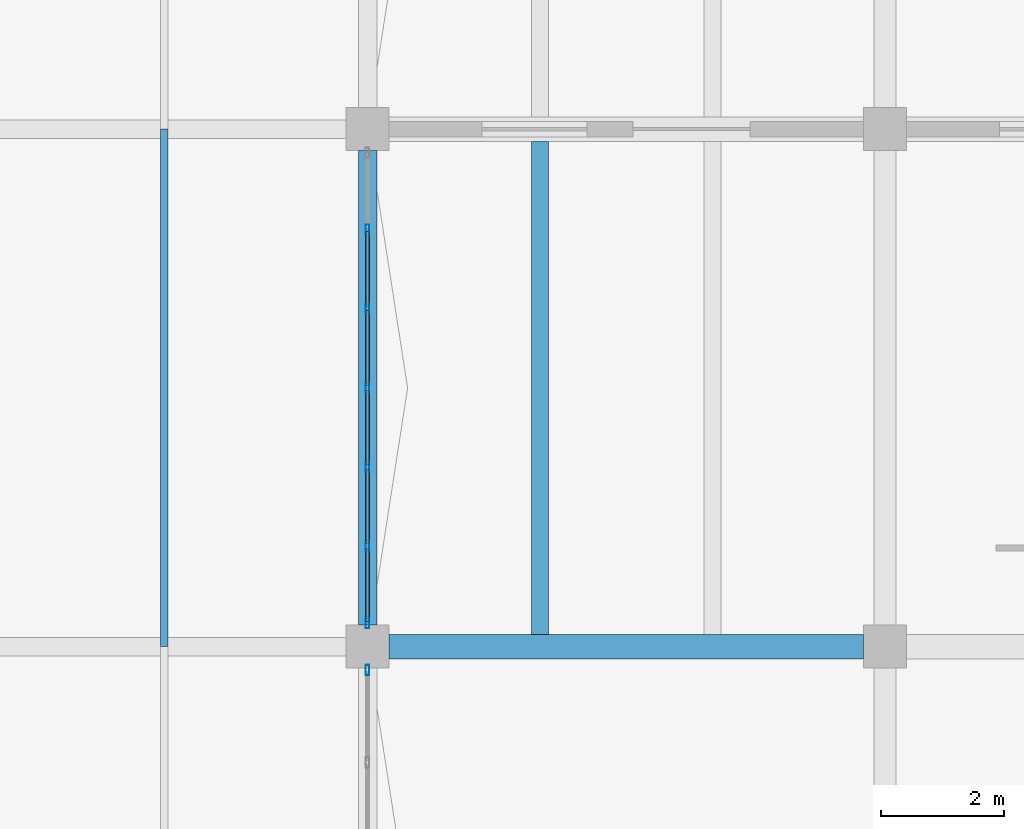
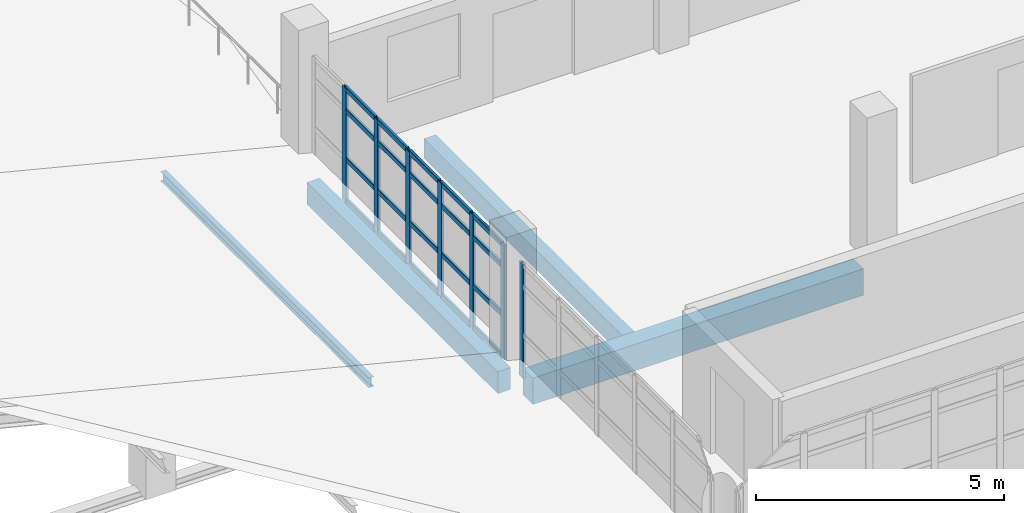
# One storey, part 56 of 95: 28 members, 3 beams, 2 elements without a shape of their own.
"""IFC4 building model written with IfcOpenShell, lengths in metres."""

from ifc_helpers import new_model, si_unit, direction, frame, origin, origin_2d, place, context, subcontext, project, spatial, rectangle, hollow_rectangle, i_section, extrude, material, layer, layer_set, material_profile, profile_set, type_object, element, aggregate, save


model = new_model("IFC4")

# Units and contexts
model_context = context("Model", 3, precision=1e-05, world=origin(), true_north=direction((0.0, 1.0)))
body_context = subcontext(model_context, "Body", "Model", "MODEL_VIEW")
ifc_project = project(units=[si_unit("LENGTHUNIT", "METRE"), si_unit("AREAUNIT", "SQUARE_METRE"), si_unit("VOLUMEUNIT", "CUBIC_METRE"), si_unit("PLANEANGLEUNIT", "RADIAN"), si_unit("MASSUNIT", "GRAM", prefix="KILO"), si_unit("THERMODYNAMICTEMPERATUREUNIT", "KELVIN"), si_unit("POWERUNIT", "WATT")], contexts=[model_context])

# Site, building, storey
site_placement = place(None, origin())
site = spatial("IfcSite", under=ifc_project, at=site_placement, CompositionType="ELEMENT")
building_placement = place(site_placement, origin())
building = spatial("IfcBuilding", under=site, at=building_placement, Name="Mavoryth Pier Ferry Terminal", CompositionType="ELEMENT")
storey_placement = place(building_placement, frame((0.0, 0.0, 9.60009765625)))
storey = spatial("IfcBuildingStorey", under=building, at=storey_placement, Name="L02", CompositionType="ELEMENT", Elevation=9.60009765625)

# Beams
ifc_material_1 = material(Name="Concrete C35/45", Category="concrete")
ifc_material_profile_1 = material_profile(ifc_material_1, rectangle(XDim=0.39990234375, YDim=0.64990234375, at=origin_2d()), Name="RC 400x650", Category="concrete")
ifc_profile_set_1 = profile_set([ifc_material_profile_1], Name="Concrete C35/45 - RC 400x650")
beam_type_1 = type_object("IfcBeamType", Name="Girder-RC-400x650", PredefinedType="BEAM", material=ifc_profile_set_1)
beam_1_placement = place(storey_placement, frame((75.949951171875, 80.800048828125, -0.60498046875), z_axis=(1.0, 0.0, 0.0), x_axis=(0.0, 1.0, 0.0)))
element("IfcBeam", 1, at=beam_1_placement, inside=storey, type_object=beam_type_1, Name="Beam B02-BG05-0720", PredefinedType="BEAM", context=body_context, shape_type="SweptSolid", body=[
    extrude(rectangle(XDim=0.39990234375, YDim=0.64990234375, at=origin_2d()), origin(), (0.0, 0.0, 1.0), 7.699951171875),
])
ifc_material_profile_2 = material_profile(ifc_material_1, rectangle(XDim=0.280029296875, YDim=0.47998046875, at=origin_2d()), Name="RC 280x480", Category="concrete")
ifc_profile_set_2 = profile_set([ifc_material_profile_2], Name="Concrete C35/45 - RC 280x480")
beam_type_2 = type_object("IfcBeamType", Name="Joist-RC-280x480", PredefinedType="JOIST", material=ifc_profile_set_2)
beam_2_placement = place(storey_placement, frame((78.39990234375, 81.0, -0.52001953125), z_axis=(0.0, 1.0, 0.0), x_axis=(-1.0, 0.0, 0.0)))
element("IfcBeam", 2, at=beam_2_placement, inside=storey, type_object=beam_type_2, Name="Beam B02-BJ02-0740", PredefinedType="JOIST", context=body_context, shape_type="SweptSolid", body=[
    extrude(rectangle(XDim=0.280029296875, YDim=0.47998046875, at=origin_2d()), origin(), (0.0, 0.0, 1.0), 8.0),
])

# Curtain wall, member
ifc_material_2 = material(Name="Anodised Aluminium and Solar-Control Low-E Glass", Category="aluminium")
ifc_layer = layer(ifc_material_2, 0.159912109375, Name="Anodised Aluminium and Solar-Control Low-E Glass", Category="aluminium")
ifc_layer_set = layer_set([ifc_layer], Name="Anodised Aluminium and Solar-Control Low-E Glass - CW-Arrivals-Mod1400")
curtain_wall_type = type_object("IfcCurtainWallType", Name="CW-Arrivals-Mod1400", PredefinedType="USERDEFINED", material=ifc_layer_set)
curtain_wall_1_placement = place(storey_placement, origin())
curtain_wall_1 = element("IfcCurtainWall", 3, at=curtain_wall_1_placement, inside=storey, type_object=curtain_wall_type, Name="Curtain Wall CW-0222-072", ObjectType="UNITISED CURTAIN WALL", PredefinedType="USERDEFINED")
ifc_material_3 = material(Name="Anodised Aluminium EN AW-6063", Category="aluminium")
ifc_material_profile_3 = material_profile(ifc_material_3, hollow_rectangle(XDim=0.06005859375, YDim=0.1650390625, WallThickness=0.00390625, InnerFilletRadius=0.00390625, OuterFilletRadius=0.008056640625, at=origin_2d()), Name="AL-MULL 165x60x4", Category="aluminium")
ifc_profile_set_3 = profile_set([ifc_material_profile_3], Name="Anodised Aluminium EN AW-6063 - AL-MULL 165x60x4")
member_type_1 = type_object("IfcMemberType", Name="Mullion-Alum-165x60", PredefinedType="MULLION", material=ifc_profile_set_3)
member_1_placement = place(storey_placement, frame((75.60009765625, 80.419921875, 0.0), z_axis=(0.0, 0.0, 1.0), x_axis=(1.0, 0.0, 0.0)))
member_1 = element("IfcMember", 4, at=member_1_placement, type_object=member_type_1, Name="CW04 mullion 1", PredefinedType="MULLION", context=body_context, shape_type="SweptSolid", body=[
    extrude(hollow_rectangle(XDim=0.06005859375, YDim=0.1650390625, WallThickness=0.00390625, InnerFilletRadius=0.00390625, OuterFilletRadius=0.008056640625, at=origin_2d()), origin(), (0.0, 0.0, 1.0), 2.804931640625),
])
aggregate(curtain_wall_1, [member_1])

# Curtain wall, members
curtain_wall_2_placement = place(storey_placement, origin())
curtain_wall_2 = element("IfcCurtainWall", 5, at=curtain_wall_2_placement, inside=storey, type_object=curtain_wall_type, Name="Curtain Wall CW-0222-074", ObjectType="UNITISED CURTAIN WALL", PredefinedType="USERDEFINED")
member_2_placement = place(storey_placement, frame((75.60009765625, 87.566650390625, 0.0), z_axis=(0.0, 0.0, 1.0), x_axis=(1.0, 0.0, 0.0)))
member_2 = element("IfcMember", 6, at=member_2_placement, type_object=member_type_1, Name="CW04 mullion 2", PredefinedType="MULLION", context=body_context, shape_type="SweptSolid", body=[
    extrude(hollow_rectangle(XDim=0.06005859375, YDim=0.1650390625, WallThickness=0.00390625, InnerFilletRadius=0.00390625, OuterFilletRadius=0.008056640625, at=origin_2d()), origin(), (0.0, 0.0, 1.0), 2.804931640625),
])
member_3_placement = place(storey_placement, frame((75.60009765625, 86.283447265625, 0.0), z_axis=(0.0, 0.0, 1.0), x_axis=(1.0, 0.0, 0.0)))
member_3 = element("IfcMember", 7, at=member_3_placement, type_object=member_type_1, Name="CW04 mullion 3", PredefinedType="MULLION", context=body_context, shape_type="SweptSolid", body=[
    extrude(hollow_rectangle(XDim=0.06005859375, YDim=0.1650390625, WallThickness=0.00390625, InnerFilletRadius=0.00390625, OuterFilletRadius=0.008056640625, at=origin_2d()), origin(), (0.0, 0.0, 1.0), 2.804931640625),
])
member_4_placement = place(storey_placement, frame((75.60009765625, 85.0, 0.0), z_axis=(0.0, 0.0, 1.0), x_axis=(1.0, 0.0, 0.0)))
member_4 = element("IfcMember", 8, at=member_4_placement, type_object=member_type_1, Name="CW04 mullion 4", PredefinedType="MULLION", context=body_context, shape_type="SweptSolid", body=[
    extrude(hollow_rectangle(XDim=0.06005859375, YDim=0.1650390625, WallThickness=0.00390625, InnerFilletRadius=0.00390625, OuterFilletRadius=0.008056640625, at=origin_2d()), origin(), (0.0, 0.0, 1.0), 2.804931640625),
])
member_5_placement = place(storey_placement, frame((75.60009765625, 83.716552734375, 0.0), z_axis=(0.0, 0.0, 1.0), x_axis=(1.0, 0.0, 0.0)))
member_5 = element("IfcMember", 9, at=member_5_placement, type_object=member_type_1, Name="CW04 mullion 5", PredefinedType="MULLION", context=body_context, shape_type="SweptSolid", body=[
    extrude(hollow_rectangle(XDim=0.06005859375, YDim=0.1650390625, WallThickness=0.00390625, InnerFilletRadius=0.00390625, OuterFilletRadius=0.008056640625, at=origin_2d()), origin(), (0.0, 0.0, 1.0), 2.804931640625),
])
member_6_placement = place(storey_placement, frame((75.60009765625, 82.433349609375, 0.0), z_axis=(0.0, 0.0, 1.0), x_axis=(1.0, 0.0, 0.0)))
member_6 = element("IfcMember", 10, at=member_6_placement, type_object=member_type_1, Name="CW04 mullion 6", PredefinedType="MULLION", context=body_context, shape_type="SweptSolid", body=[
    extrude(hollow_rectangle(XDim=0.06005859375, YDim=0.1650390625, WallThickness=0.00390625, InnerFilletRadius=0.00390625, OuterFilletRadius=0.008056640625, at=origin_2d()), origin(), (0.0, 0.0, 1.0), 2.804931640625),
])
member_7_placement = place(storey_placement, frame((75.60009765625, 81.179931640625, 0.0), z_axis=(0.0, 0.0, 1.0), x_axis=(1.0, 0.0, 0.0)))
member_7 = element("IfcMember", 11, at=member_7_placement, type_object=member_type_1, Name="CW04 mullion 7", PredefinedType="MULLION", context=body_context, shape_type="SweptSolid", body=[
    extrude(hollow_rectangle(XDim=0.06005859375, YDim=0.1650390625, WallThickness=0.00390625, InnerFilletRadius=0.00390625, OuterFilletRadius=0.008056640625, at=origin_2d()), origin(), (0.0, 0.0, 1.0), 2.804931640625),
])

# Member
ifc_material_4 = material(Name="Steel S355J2", Category="steel")
ifc_material_profile_4 = material_profile(ifc_material_4, i_section(OverallWidth=0.1201171875, OverallDepth=0.239990234375, WebThickness=0.006103515625, FlangeThickness=0.009765625, FilletRadius=0.014892578125, at=origin_2d()), Name="IPE 240", Category="steel")
ifc_profile_set_4 = profile_set([ifc_material_profile_4], Name="Steel S355J2 - IPE 240")
member_type_2 = type_object("IfcMemberType", Name="Purlin-Roof-IPE240", PredefinedType="PURLIN", material=ifc_profile_set_4)
member_8_placement = place(storey_placement, frame((72.300048828125, 80.800048828125, 0.78076171875), z_axis=(0.0, 1.0, 0.0), x_axis=(-1.0, 0.0, 0.0)))
element("IfcMember", 12, at=member_8_placement, inside=storey, type_object=member_type_2, Name="Steel Member MB-L02-0219", PredefinedType="PURLIN", context=body_context, shape_type="SweptSolid", body=[
    extrude(i_section(OverallWidth=0.1201171875, OverallDepth=0.239990234375, WebThickness=0.006103515625, FlangeThickness=0.009765625, FilletRadius=0.014892578125, at=origin_2d()), origin(), (0.0, 0.0, 1.0), 8.39990234375),
])

# Beam
ifc_material_profile_5 = material_profile(ifc_material_1, rectangle(XDim=0.300048828125, YDim=0.5400390625, at=origin_2d()), Name="RC 300x540", Category="concrete")
ifc_profile_set_5 = profile_set([ifc_material_profile_5], Name="Concrete C35/45 - RC 300x540")
beam_type_3 = type_object("IfcBeamType", Name="Spandrel-RC-300x540", PredefinedType="SPANDREL", material=ifc_profile_set_5)
beam_3_placement = place(storey_placement, frame((75.60009765625, 81.14990234375, -0.550048828125), z_axis=(0.0, 1.0, 0.0), x_axis=(-1.0, 0.0, 0.0)))
element("IfcBeam", 13, at=beam_3_placement, inside=storey, type_object=beam_type_3, Name="Beam B02-SP02-0729", PredefinedType="SPANDREL", context=body_context, shape_type="SweptSolid", body=[
    extrude(rectangle(XDim=0.300048828125, YDim=0.5400390625, at=origin_2d()), origin(), (0.0, 0.0, 1.0), 7.7001953125),
])

# Member
ifc_material_profile_6 = material_profile(ifc_material_3, hollow_rectangle(XDim=0.06005859375, YDim=0.125, WallThickness=0.00390625, InnerFilletRadius=0.00390625, OuterFilletRadius=0.008056640625, at=origin_2d()), Name="AL-TRAN 125x60x4", Category="aluminium")
ifc_profile_set_6 = profile_set([ifc_material_profile_6], Name="Anodised Aluminium EN AW-6063 - AL-TRAN 125x60x4")
member_type_3 = type_object("IfcMemberType", Name="Transom-Alum-125x60", PredefinedType="USERDEFINED", material=ifc_profile_set_6)
member_9_placement = place(storey_placement, frame((75.60009765625, 87.53662109375, 0.02978515625), z_axis=(0.0, -1.0, 0.0), x_axis=(1.0, 0.0, 0.0)))
member_9 = element("IfcMember", 14, at=member_9_placement, type_object=member_type_3, Name="CW04 transom 2.1", ObjectType="TRANSOM", PredefinedType="USERDEFINED", context=body_context, shape_type="SweptSolid", body=[
    extrude(hollow_rectangle(XDim=0.06005859375, YDim=0.125, WallThickness=0.00390625, InnerFilletRadius=0.00390625, OuterFilletRadius=0.008056640625, at=origin_2d()), origin(), (0.0, 0.0, 1.0), 1.223388671875),
])

member_10_placement = place(storey_placement, frame((75.60009765625, 87.53662109375, 1.0498046875), z_axis=(0.0, -1.0, 0.0), x_axis=(1.0, 0.0, 0.0)))
member_10 = element("IfcMember", 15, at=member_10_placement, type_object=member_type_3, Name="CW04 transom 2.2", ObjectType="TRANSOM", PredefinedType="USERDEFINED", context=body_context, shape_type="SweptSolid", body=[
    extrude(hollow_rectangle(XDim=0.06005859375, YDim=0.125, WallThickness=0.00390625, InnerFilletRadius=0.00390625, OuterFilletRadius=0.008056640625, at=origin_2d()), origin(), (0.0, 0.0, 1.0), 1.223388671875),
])

member_11_placement = place(storey_placement, frame((75.60009765625, 87.53662109375, 2.25), z_axis=(0.0, -1.0, 0.0), x_axis=(1.0, 0.0, 0.0)))
member_11 = element("IfcMember", 16, at=member_11_placement, type_object=member_type_3, Name="CW04 transom 2.3", ObjectType="TRANSOM", PredefinedType="USERDEFINED", context=body_context, shape_type="SweptSolid", body=[
    extrude(hollow_rectangle(XDim=0.06005859375, YDim=0.125, WallThickness=0.00390625, InnerFilletRadius=0.00390625, OuterFilletRadius=0.008056640625, at=origin_2d()), origin(), (0.0, 0.0, 1.0), 1.223388671875),
])

member_12_placement = place(storey_placement, frame((75.60009765625, 87.53662109375, 2.77490234375), z_axis=(0.0, -1.0, 0.0), x_axis=(1.0, 0.0, 0.0)))
member_12 = element("IfcMember", 17, at=member_12_placement, type_object=member_type_3, Name="CW04 transom 2.4", ObjectType="TRANSOM", PredefinedType="USERDEFINED", context=body_context, shape_type="SweptSolid", body=[
    extrude(hollow_rectangle(XDim=0.06005859375, YDim=0.125, WallThickness=0.00390625, InnerFilletRadius=0.00390625, OuterFilletRadius=0.008056640625, at=origin_2d()), origin(), (0.0, 0.0, 1.0), 1.223388671875),
])

member_13_placement = place(storey_placement, frame((75.60009765625, 86.25341796875, 0.02978515625), z_axis=(0.0, -1.0, 0.0), x_axis=(1.0, 0.0, 0.0)))
member_13 = element("IfcMember", 18, at=member_13_placement, type_object=member_type_3, Name="CW04 transom 3.1", ObjectType="TRANSOM", PredefinedType="USERDEFINED", context=body_context, shape_type="SweptSolid", body=[
    extrude(hollow_rectangle(XDim=0.06005859375, YDim=0.125, WallThickness=0.00390625, InnerFilletRadius=0.00390625, OuterFilletRadius=0.008056640625, at=origin_2d()), origin(), (0.0, 0.0, 1.0), 1.223388671875),
])

member_14_placement = place(storey_placement, frame((75.60009765625, 86.25341796875, 1.0498046875), z_axis=(0.0, -1.0, 0.0), x_axis=(1.0, 0.0, 0.0)))
member_14 = element("IfcMember", 19, at=member_14_placement, type_object=member_type_3, Name="CW04 transom 3.2", ObjectType="TRANSOM", PredefinedType="USERDEFINED", context=body_context, shape_type="SweptSolid", body=[
    extrude(hollow_rectangle(XDim=0.06005859375, YDim=0.125, WallThickness=0.00390625, InnerFilletRadius=0.00390625, OuterFilletRadius=0.008056640625, at=origin_2d()), origin(), (0.0, 0.0, 1.0), 1.223388671875),
])

member_15_placement = place(storey_placement, frame((75.60009765625, 86.25341796875, 2.25), z_axis=(0.0, -1.0, 0.0), x_axis=(1.0, 0.0, 0.0)))
member_15 = element("IfcMember", 20, at=member_15_placement, type_object=member_type_3, Name="CW04 transom 3.3", ObjectType="TRANSOM", PredefinedType="USERDEFINED", context=body_context, shape_type="SweptSolid", body=[
    extrude(hollow_rectangle(XDim=0.06005859375, YDim=0.125, WallThickness=0.00390625, InnerFilletRadius=0.00390625, OuterFilletRadius=0.008056640625, at=origin_2d()), origin(), (0.0, 0.0, 1.0), 1.223388671875),
])

member_16_placement = place(storey_placement, frame((75.60009765625, 86.25341796875, 2.77490234375), z_axis=(0.0, -1.0, 0.0), x_axis=(1.0, 0.0, 0.0)))
member_16 = element("IfcMember", 21, at=member_16_placement, type_object=member_type_3, Name="CW04 transom 3.4", ObjectType="TRANSOM", PredefinedType="USERDEFINED", context=body_context, shape_type="SweptSolid", body=[
    extrude(hollow_rectangle(XDim=0.06005859375, YDim=0.125, WallThickness=0.00390625, InnerFilletRadius=0.00390625, OuterFilletRadius=0.008056640625, at=origin_2d()), origin(), (0.0, 0.0, 1.0), 1.223388671875),
])

member_17_placement = place(storey_placement, frame((75.60009765625, 84.969970703125, 0.02978515625), z_axis=(0.0, -1.0, 0.0), x_axis=(1.0, 0.0, 0.0)))
member_17 = element("IfcMember", 22, at=member_17_placement, type_object=member_type_3, Name="CW04 transom 4.1", ObjectType="TRANSOM", PredefinedType="USERDEFINED", context=body_context, shape_type="SweptSolid", body=[
    extrude(hollow_rectangle(XDim=0.06005859375, YDim=0.125, WallThickness=0.00390625, InnerFilletRadius=0.00390625, OuterFilletRadius=0.008056640625, at=origin_2d()), origin(), (0.0, 0.0, 1.0), 1.223388671875),
])

member_18_placement = place(storey_placement, frame((75.60009765625, 84.969970703125, 1.0498046875), z_axis=(0.0, -1.0, 0.0), x_axis=(1.0, 0.0, 0.0)))
member_18 = element("IfcMember", 23, at=member_18_placement, type_object=member_type_3, Name="CW04 transom 4.2", ObjectType="TRANSOM", PredefinedType="USERDEFINED", context=body_context, shape_type="SweptSolid", body=[
    extrude(hollow_rectangle(XDim=0.06005859375, YDim=0.125, WallThickness=0.00390625, InnerFilletRadius=0.00390625, OuterFilletRadius=0.008056640625, at=origin_2d()), origin(), (0.0, 0.0, 1.0), 1.223388671875),
])

member_19_placement = place(storey_placement, frame((75.60009765625, 84.969970703125, 2.25), z_axis=(0.0, -1.0, 0.0), x_axis=(1.0, 0.0, 0.0)))
member_19 = element("IfcMember", 24, at=member_19_placement, type_object=member_type_3, Name="CW04 transom 4.3", ObjectType="TRANSOM", PredefinedType="USERDEFINED", context=body_context, shape_type="SweptSolid", body=[
    extrude(hollow_rectangle(XDim=0.06005859375, YDim=0.125, WallThickness=0.00390625, InnerFilletRadius=0.00390625, OuterFilletRadius=0.008056640625, at=origin_2d()), origin(), (0.0, 0.0, 1.0), 1.223388671875),
])

member_20_placement = place(storey_placement, frame((75.60009765625, 84.969970703125, 2.77490234375), z_axis=(0.0, -1.0, 0.0), x_axis=(1.0, 0.0, 0.0)))
member_20 = element("IfcMember", 25, at=member_20_placement, type_object=member_type_3, Name="CW04 transom 4.4", ObjectType="TRANSOM", PredefinedType="USERDEFINED", context=body_context, shape_type="SweptSolid", body=[
    extrude(hollow_rectangle(XDim=0.06005859375, YDim=0.125, WallThickness=0.00390625, InnerFilletRadius=0.00390625, OuterFilletRadius=0.008056640625, at=origin_2d()), origin(), (0.0, 0.0, 1.0), 1.223388671875),
])

member_21_placement = place(storey_placement, frame((75.60009765625, 83.686767578125, 0.02978515625), z_axis=(0.0, -1.0, 0.0), x_axis=(1.0, 0.0, 0.0)))
member_21 = element("IfcMember", 26, at=member_21_placement, type_object=member_type_3, Name="CW04 transom 5.1", ObjectType="TRANSOM", PredefinedType="USERDEFINED", context=body_context, shape_type="SweptSolid", body=[
    extrude(hollow_rectangle(XDim=0.06005859375, YDim=0.125, WallThickness=0.00390625, InnerFilletRadius=0.00390625, OuterFilletRadius=0.008056640625, at=origin_2d()), origin(), (0.0, 0.0, 1.0), 1.223388671875),
])

member_22_placement = place(storey_placement, frame((75.60009765625, 83.686767578125, 1.0498046875), z_axis=(0.0, -1.0, 0.0), x_axis=(1.0, 0.0, 0.0)))
member_22 = element("IfcMember", 27, at=member_22_placement, type_object=member_type_3, Name="CW04 transom 5.2", ObjectType="TRANSOM", PredefinedType="USERDEFINED", context=body_context, shape_type="SweptSolid", body=[
    extrude(hollow_rectangle(XDim=0.06005859375, YDim=0.125, WallThickness=0.00390625, InnerFilletRadius=0.00390625, OuterFilletRadius=0.008056640625, at=origin_2d()), origin(), (0.0, 0.0, 1.0), 1.223388671875),
])

member_23_placement = place(storey_placement, frame((75.60009765625, 83.686767578125, 2.25), z_axis=(0.0, -1.0, 0.0), x_axis=(1.0, 0.0, 0.0)))
member_23 = element("IfcMember", 28, at=member_23_placement, type_object=member_type_3, Name="CW04 transom 5.3", ObjectType="TRANSOM", PredefinedType="USERDEFINED", context=body_context, shape_type="SweptSolid", body=[
    extrude(hollow_rectangle(XDim=0.06005859375, YDim=0.125, WallThickness=0.00390625, InnerFilletRadius=0.00390625, OuterFilletRadius=0.008056640625, at=origin_2d()), origin(), (0.0, 0.0, 1.0), 1.223388671875),
])

member_24_placement = place(storey_placement, frame((75.60009765625, 83.686767578125, 2.77490234375), z_axis=(0.0, -1.0, 0.0), x_axis=(1.0, 0.0, 0.0)))
member_24 = element("IfcMember", 29, at=member_24_placement, type_object=member_type_3, Name="CW04 transom 5.4", ObjectType="TRANSOM", PredefinedType="USERDEFINED", context=body_context, shape_type="SweptSolid", body=[
    extrude(hollow_rectangle(XDim=0.06005859375, YDim=0.125, WallThickness=0.00390625, InnerFilletRadius=0.00390625, OuterFilletRadius=0.008056640625, at=origin_2d()), origin(), (0.0, 0.0, 1.0), 1.223388671875),
])

member_25_placement = place(storey_placement, frame((75.60009765625, 82.4033203125, 0.02978515625), z_axis=(0.0, -1.0, 0.0), x_axis=(1.0, 0.0, 0.0)))
member_25 = element("IfcMember", 30, at=member_25_placement, type_object=member_type_3, Name="CW04 transom 6.1", ObjectType="TRANSOM", PredefinedType="USERDEFINED", context=body_context, shape_type="SweptSolid", body=[
    extrude(hollow_rectangle(XDim=0.06005859375, YDim=0.125, WallThickness=0.00390625, InnerFilletRadius=0.00390625, OuterFilletRadius=0.008056640625, at=origin_2d()), origin(), (0.0, 0.0, 1.0), 1.193359375),
])

member_26_placement = place(storey_placement, frame((75.60009765625, 82.4033203125, 1.0498046875), z_axis=(0.0, -1.0, 0.0), x_axis=(1.0, 0.0, 0.0)))
member_26 = element("IfcMember", 31, at=member_26_placement, type_object=member_type_3, Name="CW04 transom 6.2", ObjectType="TRANSOM", PredefinedType="USERDEFINED", context=body_context, shape_type="SweptSolid", body=[
    extrude(hollow_rectangle(XDim=0.06005859375, YDim=0.125, WallThickness=0.00390625, InnerFilletRadius=0.00390625, OuterFilletRadius=0.008056640625, at=origin_2d()), origin(), (0.0, 0.0, 1.0), 1.193359375),
])

member_27_placement = place(storey_placement, frame((75.60009765625, 82.4033203125, 2.25), z_axis=(0.0, -1.0, 0.0), x_axis=(1.0, 0.0, 0.0)))
member_27 = element("IfcMember", 32, at=member_27_placement, type_object=member_type_3, Name="CW04 transom 6.3", ObjectType="TRANSOM", PredefinedType="USERDEFINED", context=body_context, shape_type="SweptSolid", body=[
    extrude(hollow_rectangle(XDim=0.06005859375, YDim=0.125, WallThickness=0.00390625, InnerFilletRadius=0.00390625, OuterFilletRadius=0.008056640625, at=origin_2d()), origin(), (0.0, 0.0, 1.0), 1.193359375),
])

member_28_placement = place(storey_placement, frame((75.60009765625, 82.4033203125, 2.77490234375), z_axis=(0.0, -1.0, 0.0), x_axis=(1.0, 0.0, 0.0)))
member_28 = element("IfcMember", 33, at=member_28_placement, type_object=member_type_3, Name="CW04 transom 6.4", ObjectType="TRANSOM", PredefinedType="USERDEFINED", context=body_context, shape_type="SweptSolid", body=[
    extrude(hollow_rectangle(XDim=0.06005859375, YDim=0.125, WallThickness=0.00390625, InnerFilletRadius=0.00390625, OuterFilletRadius=0.008056640625, at=origin_2d()), origin(), (0.0, 0.0, 1.0), 1.193359375),
])

aggregate(curtain_wall_2, [member_2, member_3, member_4, member_5, member_6, member_7, member_9, member_10, member_11, member_12, member_13, member_14, member_15, member_16, member_17, member_18, member_19, member_20, member_21, member_22, member_23, member_24, member_25, member_26, member_27, member_28])

save(model, "model.ifc")
